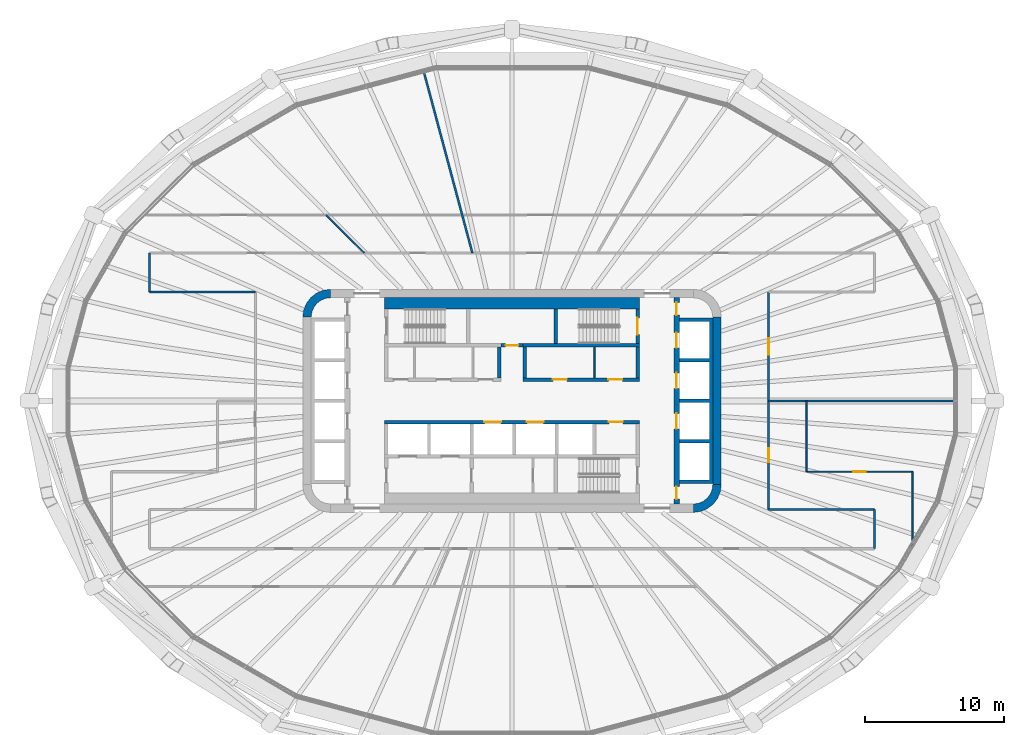
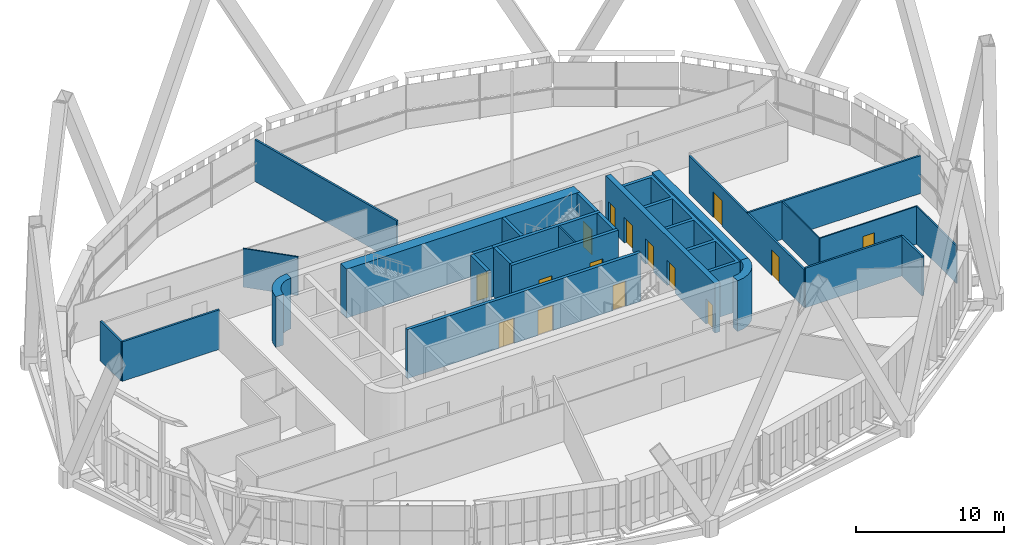
# One storey, part 16 of 25: 27 walls, 15 doors, 15 openings.
"""IFC4 building model written with IfcOpenShell, lengths in metres."""

from ifc_helpers import new_model, si_unit, direction, frame, frame_2d, origin, place, context, subcontext, project, spatial, polyline, rectangle, outline, extrude, material, layer, layer_set, type_object, element, fill, save


model = new_model("IFC4")

# Units and contexts
model_context = context("Model", 3, precision=1e-05, world=origin(), true_north=direction((0.0, 1.0)))
body_context = subcontext(model_context, "Body", "Model", "MODEL_VIEW")
ifc_project = project(units=[si_unit("LENGTHUNIT", "METRE"), si_unit("AREAUNIT", "SQUARE_METRE"), si_unit("VOLUMEUNIT", "CUBIC_METRE"), si_unit("PLANEANGLEUNIT", "RADIAN"), si_unit("MASSUNIT", "GRAM", prefix="KILO")], contexts=[model_context])

# Site, building, storey
site_placement = place(None, origin())
site = spatial("IfcSite", under=ifc_project, at=site_placement, CompositionType="ELEMENT")
building_placement = place(site_placement, origin())
building = spatial("IfcBuilding", under=site, at=building_placement, Name="Sahrelin Media Tower", CompositionType="ELEMENT")
storey_placement = place(building_placement, frame((0.0, 0.0, 114.60009765625)))
storey = spatial("IfcBuildingStorey", under=building, at=storey_placement, Name="L22", CompositionType="ELEMENT", Elevation=114.60009765625)

# Walls
ifc_material_1 = material(Name="Concrete C60/75", Category="concrete")
ifc_layer_1 = layer(ifc_material_1, 0.60009765625)
ifc_layer_set_1 = layer_set([ifc_layer_1], Name="Core wall 600")
wall_type_1 = type_object("IfcWallType", Name="Core wall 600", PredefinedType="SHEAR", material=ifc_layer_set_1)
wall_1_placement = place(storey_placement, frame((14.699951171875, -6.0, 0.0), z_axis=(0.0, 0.0, 1.0), x_axis=(0.0, 1.0, 0.0)))
element("IfcWall", 1, at=wall_1_placement, inside=storey, type_object=wall_type_1, Name="Core wall E L22", PredefinedType="SHEAR", context=body_context, shape_type="SweptSolid", body=[
    extrude(rectangle(XDim=12.0, YDim=0.60009765625, at=frame_2d((6.0, 0.0))), origin(), (0.0, 0.0, 1.0), 4.199951171875),
])
placement = place(storey_placement, origin())
element("IfcWall", 2, at=placement, inside=storey, type_object=wall_type_1, Name="Core wall corner NW L22", PredefinedType="SHEAR", context=body_context, shape_type="SweptSolid", body=[
    extrude(outline(polyline([(-15.0, 6.0), (-14.394775390625, 6.0), (-14.347412109375, 6.361083984375), (-14.2080078125, 6.697509765625), (-13.986328125, 6.986328125), (-13.697509765625, 7.2080078125), (-13.361083984375, 7.347412109375), (-13.0, 7.394775390625), (-13.0, 8.0), (-13.517578125, 7.931884765625), (-14.0, 7.732177734375), (-14.414306640625, 7.414306640625), (-14.732177734375, 7.0), (-14.931884765625, 6.517578125), (-15.0, 6.0)])), origin(), (0.0, 0.0, 1.0), 4.199951171875),
])
element("IfcWall", 3, at=placement, inside=storey, type_object=wall_type_1, Name="Core wall corner SE L22", PredefinedType="SHEAR", context=body_context, shape_type="SweptSolid", body=[
    extrude(outline(polyline([(15.0, -6.0), (14.394775390625, -6.0), (14.347412109375, -6.361083984375), (14.2080078125, -6.697509765625), (13.986328125, -6.986328125), (13.697509765625, -7.2080078125), (13.361083984375, -7.347412109375), (13.0, -7.394775390625), (13.0, -8.0), (13.517578125, -7.931884765625), (14.0, -7.732177734375), (14.414306640625, -7.414306640625), (14.732177734375, -7.0), (14.931884765625, -6.517578125), (15.0, -6.0)])), origin(), (0.0, 0.0, 1.0), 4.199951171875),
])

# Wall, opening, door
ifc_material_2 = material(Name="Fire-rated gypsum board partition")
ifc_layer_2 = layer(ifc_material_2, 0.25)
ifc_layer_set_2 = layer_set([ifc_layer_2], Name="Fire-rated lobby wall 250")
wall_type_2 = type_object("IfcWallType", Name="Fire-rated lobby wall 250", PredefinedType="PARTITIONING", material=ifc_layer_set_2)
wall_4_placement = place(storey_placement, frame((-0.77490234375, 3.97509765625, 0.0), z_axis=(0.0, 0.0, 1.0), x_axis=(1.0, 0.0, 0.0)))
wall_4 = element("IfcWall", 4, at=wall_4_placement, inside=storey, type_object=wall_type_2, Name="Core lobby wall", PredefinedType="PARTITIONING", context=body_context, shape_type="SweptSolid", body=[
    extrude(rectangle(XDim=1.5498046875, YDim=0.25, at=frame_2d((0.77490234375, 0.0))), origin(), (0.0, 0.0, 1.0), 4.0498046875),
])
opening_1_placement = place(wall_4_placement, frame((0.324951171875, 0.0, 0.0)))
opening_1 = element("IfcOpeningElement", 5, at=opening_1_placement, cuts=wall_4, Name="Opening L22-D06", PredefinedType="OPENING", context=body_context, shape_type="SweptSolid", body=[
    extrude(rectangle(XDim=0.89990234375, YDim=2.10009765625, at=frame_2d((0.449951171875, 1.050048828125))), frame((0.0, 0.125, 0.0), z_axis=(0.0, -1.0, 0.0), x_axis=(1.0, 0.0, 0.0)), (0.0, 0.0, 1.0), 0.25),
])
ifc_material_3 = material(Name="Steel fire door leaf", Category="steel")
door_type_1 = type_object("IfcDoorType", Name="Riser door 900 x 2100 EI 120", OperationType="NOTDEFINED", PredefinedType="DOOR", material=ifc_material_3)
door_1_placement = place(opening_1_placement, origin())
door_1 = element("IfcDoor", 6, at=door_1_placement, inside=storey, type_object=door_type_1, Name="Core room door", OperationType="SINGLE_SWING_LEFT", OverallHeight=2.10009765625, OverallWidth=0.89990234375, PredefinedType="DOOR", context=body_context, shape_type="SweptSolid", body=[
    extrude(rectangle(XDim=0.89990234375, YDim=2.10009765625, at=frame_2d((0.449951171875, 1.050048828125))), frame((0.0, 0.02490234375, 0.0), z_axis=(0.0, -1.0, 0.0), x_axis=(1.0, 0.0, 0.0)), (0.0, 0.0, 1.0), 0.050048828125),
])
fill(opening_1, door_1)

# Wall, openings, doors
wall_5_placement = place(storey_placement, frame((0.77490234375, 1.52490234375, 0.0), z_axis=(0.0, 0.0, 1.0), x_axis=(1.0, 0.0, 0.0)))
wall_5 = element("IfcWall", 7, at=wall_5_placement, inside=storey, type_object=wall_type_2, Name="Core lobby wall", PredefinedType="PARTITIONING", context=body_context, shape_type="SweptSolid", body=[
    extrude(rectangle(XDim=8.35009765625, YDim=0.25, at=frame_2d((4.175048828125, 0.0))), origin(), (0.0, 0.0, 1.0), 4.0498046875),
])
opening_2_placement = place(wall_5_placement, frame((2.16259765625, 0.0, 0.0)))
opening_2 = element("IfcOpeningElement", 8, at=opening_2_placement, cuts=wall_5, Name="Opening L22-D11", PredefinedType="OPENING", context=body_context, shape_type="SweptSolid", body=[
    extrude(rectangle(XDim=1.0, YDim=2.10009765625, at=frame_2d((0.5, 1.050048828125))), frame((0.0, 0.125, 0.0), z_axis=(0.0, -1.0, 0.0), x_axis=(1.0, 0.0, 0.0)), (0.0, 0.0, 1.0), 0.25),
])
opening_3_placement = place(wall_5_placement, frame((6.137451171875, 0.0, 0.0)))
opening_3 = element("IfcOpeningElement", 9, at=opening_3_placement, cuts=wall_5, Name="Opening L22-D12", PredefinedType="OPENING", context=body_context, shape_type="SweptSolid", body=[
    extrude(rectangle(XDim=1.0, YDim=2.10009765625, at=frame_2d((0.5, 1.050048828125))), frame((0.0, 0.125, 0.0), z_axis=(0.0, -1.0, 0.0), x_axis=(1.0, 0.0, 0.0)), (0.0, 0.0, 1.0), 0.25),
])
door_type_2 = type_object("IfcDoorType", Name="Fire door 1000 x 2100 EI 60", OperationType="NOTDEFINED", PredefinedType="DOOR", material=ifc_material_3)
door_2_placement = place(opening_2_placement, origin())
door_2 = element("IfcDoor", 10, at=door_2_placement, inside=storey, type_object=door_type_2, Name="Core room door", OperationType="SINGLE_SWING_LEFT", OverallHeight=2.10009765625, OverallWidth=1.0, PredefinedType="DOOR", context=body_context, shape_type="SweptSolid", body=[
    extrude(rectangle(XDim=1.0, YDim=2.10009765625, at=frame_2d((0.5, 1.050048828125))), frame((0.0, 0.02490234375, 0.0), z_axis=(0.0, -1.0, 0.0), x_axis=(1.0, 0.0, 0.0)), (0.0, 0.0, 1.0), 0.050048828125),
])
fill(opening_2, door_2)
door_3_placement = place(opening_3_placement, origin())
door_3 = element("IfcDoor", 11, at=door_3_placement, inside=storey, type_object=door_type_2, Name="Core room door", OperationType="SINGLE_SWING_LEFT", OverallHeight=2.10009765625, OverallWidth=1.0, PredefinedType="DOOR", context=body_context, shape_type="SweptSolid", body=[
    extrude(rectangle(XDim=1.0, YDim=2.10009765625, at=frame_2d((0.5, 1.050048828125))), frame((0.0, 0.02490234375, 0.0), z_axis=(0.0, -1.0, 0.0), x_axis=(1.0, 0.0, 0.0)), (0.0, 0.0, 1.0), 0.050048828125),
])
fill(opening_3, door_3)

# Walls
for number, where, z_axis, x_axis, name in (
    (12, (-0.89990234375, 1.64990234375, 0.0), (0.0, 0.0, 1.0), (0.0, 1.0, 0.0), "Core lobby wall"),
    (13, (9.0, 1.64990234375, 0.0), (0.0, 0.0, 1.0), (0.0, 1.0, 0.0), "Core lobby wall"),
    (14, (0.89990234375, 1.64990234375, 0.0), (0.0, 0.0, 1.0), (0.0, 1.0, 0.0), "Core lobby wall"),
):
    element("IfcWall", number, at=place(storey_placement, frame(where, z_axis=z_axis, x_axis=x_axis)), inside=storey, type_object=wall_type_2, Name=name, PredefinedType="PARTITIONING", context=body_context, shape_type="SweptSolid", body=[
        extrude(rectangle(XDim=2.2001953125, YDim=0.25, at=frame_2d((1.10009765625, 0.0))), origin(), (0.0, 0.0, 1.0), 4.0498046875),
    ])
ifc_layer_3 = layer(ifc_material_2, 0.10009765625)
ifc_layer_set_3 = layer_set([ifc_layer_3], Name="Fire-rated partition 100")
wall_type_3 = type_object("IfcWallType", Name="Fire-rated partition 100", PredefinedType="PARTITIONING", material=ifc_layer_set_3)
wall_6_placement = place(storey_placement, frame((5.89990234375, 1.64990234375, 0.0), z_axis=(0.0, 0.0, 1.0), x_axis=(0.0, 1.0, 0.0)))
element("IfcWall", 15, at=wall_6_placement, inside=storey, type_object=wall_type_3, Name="Core room partition", PredefinedType="PARTITIONING", context=body_context, shape_type="SweptSolid", body=[
    extrude(rectangle(XDim=2.2001953125, YDim=0.10009765625, at=frame_2d((1.10009765625, 0.0))), origin(), (0.0, 0.0, 1.0), 4.0498046875),
])
ifc_layer_4 = layer(ifc_material_2, 0.14990234375)
ifc_layer_set_4 = layer_set([ifc_layer_4], Name="Fire-rated partition 150")
wall_type_4 = type_object("IfcWallType", Name="Fire-rated partition 150", PredefinedType="PARTITIONING", material=ifc_layer_set_4)
wall_7_placement = place(storey_placement, frame((-6.35888671875, 23.73193359375, 0.0), z_axis=(0.0, 0.0, 1.0), x_axis=(0.258844995685, -0.965918872478, 0.0)))
element("IfcWall", 16, at=wall_7_placement, inside=storey, type_object=wall_type_4, Name="Wall", PredefinedType="PARTITIONING", context=body_context, shape_type="SweptSolid", body=[
    extrude(rectangle(XDim=13.59521484375, YDim=0.14990234375, at=frame_2d((6.797607421875, 0.0))), origin(), (0.0, 0.0, 1.0), 3.45166015625),
])
wall_8_placement = place(storey_placement, frame((18.39990234375, -7.800048828125, 0.0), z_axis=(0.0, 0.0, 1.0), x_axis=(1.0, 0.0, 0.0)))
element("IfcWall", 17, at=wall_8_placement, inside=storey, type_object=wall_type_4, Name="Wall", PredefinedType="PARTITIONING", context=body_context, shape_type="SweptSolid", body=[
    extrude(rectangle(XDim=7.60009765625, YDim=0.14990234375, at=frame_2d((3.800048828125, 0.0))), origin(), (0.0, 0.0, 1.0), 3.27587890625),
])
wall_9_placement = place(storey_placement, frame((18.39990234375, 0.0, 0.0), z_axis=(0.0, 0.0, 1.0), x_axis=(1.0, 0.0, 0.0)))
element("IfcWall", 18, at=wall_9_placement, inside=storey, type_object=wall_type_4, Name="Wall", PredefinedType="PARTITIONING", context=body_context, shape_type="SweptSolid", body=[
    extrude(rectangle(XDim=13.51611328125, YDim=0.14990234375, at=frame_2d((6.758056640625, 0.0))), origin(), (0.0, 0.0, 1.0), 3.126953125),
])
wall_10_placement = place(storey_placement, frame((-26.0, 7.800048828125, 0.0), z_axis=(0.0, 0.0, 1.0), x_axis=(1.0, 0.0, 0.0)))
element("IfcWall", 19, at=wall_10_placement, inside=storey, type_object=wall_type_4, Name="Wall", PredefinedType="PARTITIONING", context=body_context, shape_type="SweptSolid", body=[
    extrude(rectangle(XDim=7.60009765625, YDim=0.14990234375, at=frame_2d((3.800048828125, 0.0))), origin(), (0.0, 0.0, 1.0), 3.27587890625),
])
wall_11_placement = place(storey_placement, frame((26.0, -10.60009765625, 0.0), z_axis=(0.0, 0.0, 1.0), x_axis=(0.0, 1.0, 0.0)))
element("IfcWall", 20, at=wall_11_placement, inside=storey, type_object=wall_type_4, Name="Wall", PredefinedType="PARTITIONING", context=body_context, shape_type="SweptSolid", body=[
    extrude(rectangle(XDim=2.800048828125, YDim=0.14990234375, at=frame_2d((1.39990234375, 0.0))), origin(), (0.0, 0.0, 1.0), 3.27587890625),
])

# Wall, openings, doors
wall_12_placement = place(storey_placement, frame((18.39990234375, -7.800048828125, 0.0), z_axis=(0.0, 0.0, 1.0), x_axis=(0.0, 1.0, 0.0)))
wall_12 = element("IfcWall", 21, at=wall_12_placement, inside=storey, type_object=wall_type_4, Name="Wall", PredefinedType="PARTITIONING", context=body_context, shape_type="SweptSolid", body=[
    extrude(rectangle(XDim=15.60009765625, YDim=0.14990234375, at=frame_2d((7.800048828125, 0.0))), origin(), (0.0, 0.0, 1.0), 3.1181640625),
])
opening_4_placement = place(wall_12_placement, frame((3.39990234375, 0.0, 0.0)))
opening_4 = element("IfcOpeningElement", 22, at=opening_4_placement, cuts=wall_12, Name="Opening L22-D33", PredefinedType="OPENING", context=body_context, shape_type="SweptSolid", body=[
    extrude(rectangle(XDim=1.0, YDim=2.10009765625, at=frame_2d((0.5, 1.050048828125))), frame((0.0, 0.074951171875, 0.0), z_axis=(0.0, -1.0, 0.0), x_axis=(1.0, 0.0, 0.0)), (0.0, 0.0, 1.0), 0.14990234375),
])
opening_5_placement = place(wall_12_placement, frame((11.10009765625, 0.0, 0.0)))
opening_5 = element("IfcOpeningElement", 23, at=opening_5_placement, cuts=wall_12, Name="Opening L22-D35", PredefinedType="OPENING", context=body_context, shape_type="SweptSolid", body=[
    extrude(rectangle(XDim=1.199951171875, YDim=2.10009765625, at=frame_2d((0.60009765625, 1.050048828125))), frame((0.0, 0.074951171875, 0.0), z_axis=(0.0, -1.0, 0.0), x_axis=(1.0, 0.0, 0.0)), (0.0, 0.0, 1.0), 0.14990234375),
])
door_4_placement = place(opening_4_placement, origin())
door_4 = element("IfcDoor", 24, at=door_4_placement, inside=storey, type_object=door_type_2, Name="Fire door", OperationType="SINGLE_SWING_LEFT", OverallHeight=2.10009765625, OverallWidth=1.0, PredefinedType="DOOR", context=body_context, shape_type="SweptSolid", body=[
    extrude(rectangle(XDim=1.0, YDim=2.10009765625, at=frame_2d((0.5, 1.050048828125))), frame((0.0, 0.02490234375, 0.0), z_axis=(0.0, -1.0, 0.0), x_axis=(1.0, 0.0, 0.0)), (0.0, 0.0, 1.0), 0.050048828125),
])
fill(opening_4, door_4)
door_type_3 = type_object("IfcDoorType", Name="Service double door 1200 x 2100 EI 60", OperationType="DOUBLE_DOOR_SINGLE_SWING", PredefinedType="DOOR", material=ifc_material_3)
door_5_placement = place(opening_5_placement, origin())
door_5 = element("IfcDoor", 25, at=door_5_placement, inside=storey, type_object=door_type_3, Name="Service double door", OperationType="DOUBLE_DOOR_SINGLE_SWING", OverallHeight=2.10009765625, OverallWidth=1.199951171875, PredefinedType="DOOR", context=body_context, shape_type="SweptSolid", body=[
    extrude(rectangle(XDim=1.199951171875, YDim=2.10009765625, at=frame_2d((0.60009765625, 1.050048828125))), frame((0.0, 0.02490234375, 0.0), z_axis=(0.0, -1.0, 0.0), x_axis=(1.0, 0.0, 0.0)), (0.0, 0.0, 1.0), 0.050048828125),
])
fill(opening_5, door_5)

# Wall
wall_13_placement = place(storey_placement, frame((-26.0, 7.800048828125, 0.0), z_axis=(0.0, 0.0, 1.0), x_axis=(0.0, 1.0, 0.0)))
element("IfcWall", 26, at=wall_13_placement, inside=storey, type_object=wall_type_4, Name="Wall", PredefinedType="PARTITIONING", context=body_context, shape_type="SweptSolid", body=[
    extrude(rectangle(XDim=2.800048828125, YDim=0.14990234375, at=frame_2d((1.39990234375, 0.0))), origin(), (0.0, 0.0, 1.0), 3.27587890625),
])

# Wall, openings, doors
ifc_layer_5 = layer(ifc_material_1, 0.25)
ifc_layer_set_5 = layer_set([ifc_layer_5], Name="Lift shaft wall 250")
wall_type_5 = type_object("IfcWallType", Name="Lift shaft wall 250", PredefinedType="SOLIDWALL", material=ifc_layer_set_5)
wall_14_placement = place(storey_placement, frame((-9.125, -1.52490234375, 0.0), z_axis=(0.0, 0.0, 1.0), x_axis=(1.0, 0.0, 0.0)))
wall_14 = element("IfcWall", 27, at=wall_14_placement, inside=storey, type_object=wall_type_5, Name="Lift shaft wall", PredefinedType="SOLIDWALL", context=body_context, shape_type="SweptSolid", body=[
    extrude(rectangle(XDim=18.25, YDim=0.25, at=frame_2d((9.125, 0.0))), origin(), (0.0, 0.0, 1.0), 4.0498046875),
])
opening_6_placement = place(wall_14_placement, frame((7.14990234375, 0.0, 0.0)))
opening_6 = element("IfcOpeningElement", 28, at=opening_6_placement, cuts=wall_14, Name="Opening L22-LD-SV1", PredefinedType="OPENING", context=body_context, shape_type="SweptSolid", body=[
    extrude(rectangle(XDim=1.199951171875, YDim=2.10009765625, at=frame_2d((0.60009765625, 1.050048828125))), frame((0.0, 0.125, 0.0), z_axis=(0.0, -1.0, 0.0), x_axis=(1.0, 0.0, 0.0)), (0.0, 0.0, 1.0), 0.25),
])
opening_7_placement = place(wall_14_placement, frame((10.199951171875, 0.0, 0.0)))
opening_7 = element("IfcOpeningElement", 29, at=opening_7_placement, cuts=wall_14, Name="Opening L22-LD-SV2", PredefinedType="OPENING", context=body_context, shape_type="SweptSolid", body=[
    extrude(rectangle(XDim=1.199951171875, YDim=2.10009765625, at=frame_2d((0.60009765625, 1.050048828125))), frame((0.0, 0.125, 0.0), z_axis=(0.0, -1.0, 0.0), x_axis=(1.0, 0.0, 0.0)), (0.0, 0.0, 1.0), 0.25),
])
opening_8_placement = place(wall_14_placement, frame((16.074951171875, 0.0, 0.0)))
opening_8 = element("IfcOpeningElement", 30, at=opening_8_placement, cuts=wall_14, Name="Opening L22-D13", PredefinedType="OPENING", context=body_context, shape_type="SweptSolid", body=[
    extrude(rectangle(XDim=1.0, YDim=2.10009765625, at=frame_2d((0.5, 1.050048828125))), frame((0.0, 0.125, 0.0), z_axis=(0.0, -1.0, 0.0), x_axis=(1.0, 0.0, 0.0)), (0.0, 0.0, 1.0), 0.25),
])
door_6_placement = place(opening_8_placement, origin())
door_6 = element("IfcDoor", 31, at=door_6_placement, inside=storey, type_object=door_type_2, Name="Core room door", OperationType="SINGLE_SWING_RIGHT", OverallHeight=2.10009765625, OverallWidth=1.0, PredefinedType="DOOR", context=body_context, shape_type="SweptSolid", body=[
    extrude(rectangle(XDim=1.0, YDim=2.10009765625, at=frame_2d((0.5, 1.050048828125))), frame((0.0, 0.02490234375, 0.0), z_axis=(0.0, -1.0, 0.0), x_axis=(1.0, 0.0, 0.0)), (0.0, 0.0, 1.0), 0.050048828125),
])
fill(opening_8, door_6)
ifc_material_4 = material(Name="Stainless steel", Category="steel")
door_type_4 = type_object("IfcDoorType", Name="Lift landing door 1200 x 2100 EI 120", OperationType="DOUBLE_DOOR_SLIDING", PredefinedType="DOOR", material=ifc_material_4)
door_7_placement = place(opening_6_placement, origin())
door_7 = element("IfcDoor", 32, at=door_7_placement, inside=storey, type_object=door_type_4, Name="Lift landing door SV1", OperationType="DOUBLE_DOOR_SLIDING", OverallHeight=2.10009765625, OverallWidth=1.199951171875, PredefinedType="DOOR", context=body_context, shape_type="SweptSolid", body=[
    extrude(rectangle(XDim=1.199951171875, YDim=2.10009765625, at=frame_2d((0.60009765625, 1.050048828125))), frame((0.0, 0.02490234375, 0.0), z_axis=(0.0, -1.0, 0.0), x_axis=(1.0, 0.0, 0.0)), (0.0, 0.0, 1.0), 0.050048828125),
])
fill(opening_6, door_7)
door_8_placement = place(opening_7_placement, origin())
door_8 = element("IfcDoor", 33, at=door_8_placement, inside=storey, type_object=door_type_4, Name="Lift landing door SV2", OperationType="DOUBLE_DOOR_SLIDING", OverallHeight=2.10009765625, OverallWidth=1.199951171875, PredefinedType="DOOR", context=body_context, shape_type="SweptSolid", body=[
    extrude(rectangle(XDim=1.199951171875, YDim=2.10009765625, at=frame_2d((0.60009765625, 1.050048828125))), frame((0.0, 0.02490234375, 0.0), z_axis=(0.0, -1.0, 0.0), x_axis=(1.0, 0.0, 0.0)), (0.0, 0.0, 1.0), 0.050048828125),
])
fill(opening_7, door_8)

# Wall
element("IfcWall", 34, at=placement, inside=storey, type_object=wall_type_5, Name="Lift shaft wall", PredefinedType="SOLIDWALL", context=body_context, shape_type="SweptSolid", body=[
    extrude(outline(polyline([(12.0, -5.675048828125), (12.0, -5.925048828125), (14.14990234375, -5.925048828125), (14.39990234375, -5.925048828125), (14.39990234375, -5.675048828125), (14.39990234375, -3.02490234375), (14.39990234375, -2.77490234375), (14.39990234375, -0.125), (14.39990234375, 0.125), (14.39990234375, 2.77490234375), (14.39990234375, 3.02490234375), (14.39990234375, 5.675048828125), (14.39990234375, 5.925048828125), (14.14990234375, 5.925048828125), (12.0, 5.925048828125), (12.0, 5.675048828125), (14.14990234375, 5.675048828125), (14.14990234375, 3.02490234375), (12.0, 3.02490234375), (12.0, 2.77490234375), (14.14990234375, 2.77490234375), (14.14990234375, 0.125), (12.0, 0.125), (12.0, -0.125), (14.14990234375, -0.125), (14.14990234375, -2.77490234375), (12.0, -2.77490234375), (12.0, -3.02490234375), (14.14990234375, -3.02490234375), (14.14990234375, -5.675048828125), (12.0, -5.675048828125)])), origin(), (0.0, 0.0, 1.0), 4.0498046875),
])

# Wall, openings, doors
ifc_layer_6 = layer(ifc_material_1, 0.39990234375)
ifc_layer_set_6 = layer_set([ifc_layer_6], Name="Lift shaft wall 400")
wall_type_6 = type_object("IfcWallType", Name="Lift shaft wall 400", PredefinedType="SOLIDWALL", material=ifc_layer_set_6)
wall_16_placement = place(storey_placement, frame((11.800048828125, -7.39990234375, 0.0), z_axis=(0.0, 0.0, 1.0), x_axis=(0.0, 1.0, 0.0)))
wall_16 = element("IfcWall", 35, at=wall_16_placement, inside=storey, type_object=wall_type_6, Name="Lift shaft wall", PredefinedType="SOLIDWALL", context=body_context, shape_type="SweptSolid", body=[
    extrude(rectangle(XDim=14.7998046875, YDim=0.39990234375, at=frame_2d((7.39990234375, 0.0))), origin(), (0.0, 0.0, 1.0), 4.0498046875),
])
opening_9_placement = place(wall_16_placement, frame((11.199951171875, 0.0, 0.0)))
opening_9 = element("IfcOpeningElement", 36, at=opening_9_placement, cuts=wall_16, Name="Opening L22-LD-LR4", PredefinedType="OPENING", context=body_context, shape_type="SweptSolid", body=[
    extrude(rectangle(XDim=1.10009765625, YDim=2.10009765625, at=frame_2d((0.550048828125, 1.050048828125))), frame((0.0, 0.199951171875, 0.0), z_axis=(0.0, -1.0, 0.0), x_axis=(1.0, 0.0, 0.0)), (0.0, 0.0, 1.0), 0.39990234375),
])
opening_10_placement = place(wall_16_placement, frame((8.300048828125, 0.0, 0.0)))
opening_10 = element("IfcOpeningElement", 37, at=opening_10_placement, cuts=wall_16, Name="Opening L22-LD-LR5", PredefinedType="OPENING", context=body_context, shape_type="SweptSolid", body=[
    extrude(rectangle(XDim=1.10009765625, YDim=2.10009765625, at=frame_2d((0.550048828125, 1.050048828125))), frame((0.0, 0.199951171875, 0.0), z_axis=(0.0, -1.0, 0.0), x_axis=(1.0, 0.0, 0.0)), (0.0, 0.0, 1.0), 0.39990234375),
])
opening_11_placement = place(wall_16_placement, frame((5.39990234375, 0.0, 0.0)))
opening_11 = element("IfcOpeningElement", 38, at=opening_11_placement, cuts=wall_16, Name="Opening L22-LD-LR6", PredefinedType="OPENING", context=body_context, shape_type="SweptSolid", body=[
    extrude(rectangle(XDim=1.10009765625, YDim=2.10009765625, at=frame_2d((0.550048828125, 1.050048828125))), frame((0.0, 0.199951171875, 0.0), z_axis=(0.0, -1.0, 0.0), x_axis=(1.0, 0.0, 0.0)), (0.0, 0.0, 1.0), 0.39990234375),
])
opening_12_placement = place(wall_16_placement, frame((13.552490234375, 0.0, 0.0)))
opening_12 = element("IfcOpeningElement", 39, at=opening_12_placement, cuts=wall_16, Name="Opening L22-D16", PredefinedType="OPENING", context=body_context, shape_type="SweptSolid", body=[
    extrude(rectangle(XDim=0.89990234375, YDim=2.10009765625, at=frame_2d((0.449951171875, 1.050048828125))), frame((0.0, 0.199951171875, 0.0), z_axis=(0.0, -1.0, 0.0), x_axis=(1.0, 0.0, 0.0)), (0.0, 0.0, 1.0), 0.39990234375),
])
opening_13_placement = place(wall_16_placement, frame((0.347412109375, 0.0, 0.0)))
opening_13 = element("IfcOpeningElement", 40, at=opening_13_placement, cuts=wall_16, Name="Opening L22-D17", PredefinedType="OPENING", context=body_context, shape_type="SweptSolid", body=[
    extrude(rectangle(XDim=0.89990234375, YDim=2.10009765625, at=frame_2d((0.449951171875, 1.050048828125))), frame((0.0, 0.199951171875, 0.0), z_axis=(0.0, -1.0, 0.0), x_axis=(1.0, 0.0, 0.0)), (0.0, 0.0, 1.0), 0.39990234375),
])
door_type_5 = type_object("IfcDoorType", Name="Lift landing door 1100 x 2100 EI 120", OperationType="DOUBLE_DOOR_SLIDING", PredefinedType="DOOR", material=ifc_material_4)
door_9_placement = place(opening_9_placement, origin())
door_9 = element("IfcDoor", 41, at=door_9_placement, inside=storey, type_object=door_type_5, Name="Lift landing door LR4", OperationType="DOUBLE_DOOR_SLIDING", OverallHeight=2.10009765625, OverallWidth=1.10009765625, PredefinedType="DOOR", context=body_context, shape_type="SweptSolid", body=[
    extrude(rectangle(XDim=1.10009765625, YDim=2.10009765625, at=frame_2d((0.550048828125, 1.050048828125))), frame((0.0, 0.02490234375, 0.0), z_axis=(0.0, -1.0, 0.0), x_axis=(1.0, 0.0, 0.0)), (0.0, 0.0, 1.0), 0.050048828125),
])
fill(opening_9, door_9)
door_10_placement = place(opening_10_placement, origin())
door_10 = element("IfcDoor", 42, at=door_10_placement, inside=storey, type_object=door_type_5, Name="Lift landing door LR5", OperationType="DOUBLE_DOOR_SLIDING", OverallHeight=2.10009765625, OverallWidth=1.10009765625, PredefinedType="DOOR", context=body_context, shape_type="SweptSolid", body=[
    extrude(rectangle(XDim=1.10009765625, YDim=2.10009765625, at=frame_2d((0.550048828125, 1.050048828125))), frame((0.0, 0.02490234375, 0.0), z_axis=(0.0, -1.0, 0.0), x_axis=(1.0, 0.0, 0.0)), (0.0, 0.0, 1.0), 0.050048828125),
])
fill(opening_10, door_10)
door_11_placement = place(opening_11_placement, origin())
door_11 = element("IfcDoor", 43, at=door_11_placement, inside=storey, type_object=door_type_5, Name="Lift landing door LR6", OperationType="DOUBLE_DOOR_SLIDING", OverallHeight=2.10009765625, OverallWidth=1.10009765625, PredefinedType="DOOR", context=body_context, shape_type="SweptSolid", body=[
    extrude(rectangle(XDim=1.10009765625, YDim=2.10009765625, at=frame_2d((0.550048828125, 1.050048828125))), frame((0.0, 0.02490234375, 0.0), z_axis=(0.0, -1.0, 0.0), x_axis=(1.0, 0.0, 0.0)), (0.0, 0.0, 1.0), 0.050048828125),
])
fill(opening_11, door_11)
door_12_placement = place(opening_12_placement, origin())
door_12 = element("IfcDoor", 44, at=door_12_placement, inside=storey, type_object=door_type_1, Name="Riser door", OperationType="SINGLE_SWING_RIGHT", OverallHeight=2.10009765625, OverallWidth=0.89990234375, PredefinedType="DOOR", context=body_context, shape_type="SweptSolid", body=[
    extrude(rectangle(XDim=0.89990234375, YDim=2.10009765625, at=frame_2d((0.449951171875, 1.050048828125))), frame((0.0, 0.02490234375, 0.0), z_axis=(0.0, -1.0, 0.0), x_axis=(1.0, 0.0, 0.0)), (0.0, 0.0, 1.0), 0.050048828125),
])
fill(opening_12, door_12)
door_13_placement = place(opening_13_placement, origin())
door_13 = element("IfcDoor", 45, at=door_13_placement, inside=storey, type_object=door_type_1, Name="Riser door", OperationType="SINGLE_SWING_RIGHT", OverallHeight=2.10009765625, OverallWidth=0.89990234375, PredefinedType="DOOR", context=body_context, shape_type="SweptSolid", body=[
    extrude(rectangle(XDim=0.89990234375, YDim=2.10009765625, at=frame_2d((0.449951171875, 1.050048828125))), frame((0.0, 0.02490234375, 0.0), z_axis=(0.0, -1.0, 0.0), x_axis=(1.0, 0.0, 0.0)), (0.0, 0.0, 1.0), 0.050048828125),
])
fill(opening_13, door_13)

# Wall
ifc_material_5 = material(Name="Gypsum board partition")
ifc_layer_7 = layer(ifc_material_5, 0.10009765625)
ifc_layer_set_7 = layer_set([ifc_layer_7], Name="Partition 100")
wall_type_7 = type_object("IfcWallType", Name="Partition 100", PredefinedType="PARTITIONING", material=ifc_layer_set_7)
wall_17_placement = place(storey_placement, frame((-13.320068359375, 13.320068359375, 0.0), z_axis=(0.0, 0.0, 1.0), x_axis=(0.707106781187, -0.707106781187, 0.0)))
element("IfcWall", 46, at=wall_17_placement, inside=storey, type_object=wall_type_7, Name="Wall", PredefinedType="PARTITIONING", context=body_context, shape_type="SweptSolid", body=[
    extrude(rectangle(XDim=3.8466796875, YDim=0.10009765625, at=frame_2d((1.92333984375, 0.0))), origin(), (0.0, 0.0, 1.0), 3.195068359375),
])

# Wall, opening, door
wall_18_placement = place(storey_placement, frame((21.1201171875, -5.080078125, 0.0), z_axis=(0.0, 0.0, 1.0), x_axis=(1.0, 0.0, 0.0)))
wall_18 = element("IfcWall", 47, at=wall_18_placement, inside=storey, type_object=wall_type_7, Name="Wall", PredefinedType="PARTITIONING", context=body_context, shape_type="SweptSolid", body=[
    extrude(rectangle(XDim=7.599853515625, YDim=0.10009765625, at=frame_2d((3.7998046875, 0.0))), origin(), (0.0, 0.0, 1.0), 3.126953125),
])
opening_14_placement = place(wall_18_placement, frame((3.35009765625, 0.0, 0.0)))
opening_14 = element("IfcOpeningElement", 48, at=opening_14_placement, cuts=wall_18, Name="Opening L22-D34", PredefinedType="OPENING", context=body_context, shape_type="SweptSolid", body=[
    extrude(rectangle(XDim=0.89990234375, YDim=2.10009765625, at=frame_2d((0.449951171875, 1.050048828125))), frame((0.0, 0.050048828125, 0.0), z_axis=(0.0, -1.0, 0.0), x_axis=(1.0, 0.0, 0.0)), (0.0, 0.0, 1.0), 0.10009765625),
])
ifc_material_6 = material(Name="Timber door leaf", Category="wood")
door_type_6 = type_object("IfcDoorType", Name="Single door 900 x 2100", OperationType="NOTDEFINED", PredefinedType="DOOR", material=ifc_material_6)
door_14_placement = place(opening_14_placement, origin())
door_14 = element("IfcDoor", 49, at=door_14_placement, inside=storey, type_object=door_type_6, Name="Single door", OperationType="SINGLE_SWING_LEFT", OverallHeight=2.10009765625, OverallWidth=0.89990234375, PredefinedType="DOOR", context=body_context, shape_type="SweptSolid", body=[
    extrude(rectangle(XDim=0.89990234375, YDim=2.10009765625, at=frame_2d((0.449951171875, 1.050048828125))), frame((0.0, 0.02490234375, 0.0), z_axis=(0.0, -1.0, 0.0), x_axis=(1.0, 0.0, 0.0)), (0.0, 0.0, 1.0), 0.050048828125),
])
fill(opening_14, door_14)

# Walls
wall_19_placement = place(storey_placement, frame((28.719970703125, -10.5029296875, 0.0), z_axis=(0.0, 0.0, 1.0), x_axis=(0.0, 1.0, 0.0)))
element("IfcWall", 50, at=wall_19_placement, inside=storey, type_object=wall_type_7, Name="Wall", PredefinedType="PARTITIONING", context=body_context, shape_type="SweptSolid", body=[
    extrude(rectangle(XDim=5.4228515625, YDim=0.10009765625, at=frame_2d((2.71142578125, 0.0))), origin(), (0.0, 0.0, 1.0), 3.126953125),
])
wall_20_placement = place(storey_placement, frame((21.1201171875, -5.080078125, 0.0), z_axis=(0.0, 0.0, 1.0), x_axis=(0.0, 1.0, 0.0)))
element("IfcWall", 51, at=wall_20_placement, inside=storey, type_object=wall_type_7, Name="Wall", PredefinedType="PARTITIONING", context=body_context, shape_type="SweptSolid", body=[
    extrude(rectangle(XDim=5.080078125, YDim=0.10009765625, at=frame_2d((2.5400390625, 0.0))), origin(), (0.0, 0.0, 1.0), 3.1181640625),
])

# Wall, opening, door
ifc_layer_8 = layer(ifc_material_1, 0.25)
ifc_layer_set_8 = layer_set([ifc_layer_8], Name="Stair enclosure wall 250")
wall_type_8 = type_object("IfcWallType", Name="Stair enclosure wall 250", PredefinedType="SOLIDWALL", material=ifc_layer_set_8)
wall_21_placement = place(storey_placement, frame((9.0, 4.10009765625, 0.0), z_axis=(0.0, 0.0, 1.0), x_axis=(0.0, 1.0, 0.0)))
wall_21 = element("IfcWall", 52, at=wall_21_placement, inside=storey, type_object=wall_type_8, Name="Stair enclosure wall", PredefinedType="SOLIDWALL", context=body_context, shape_type="SweptSolid", body=[
    extrude(rectangle(XDim=2.5, YDim=0.25, at=frame_2d((1.25, 0.0))), origin(), (0.0, 0.0, 1.0), 4.0498046875),
])
opening_15_placement = place(wall_21_placement, frame((0.64990234375, 0.0, 0.0)))
opening_15 = element("IfcOpeningElement", 53, at=opening_15_placement, cuts=wall_21, Name="Opening L22-D02", PredefinedType="OPENING", context=body_context, shape_type="SweptSolid", body=[
    extrude(rectangle(XDim=1.199951171875, YDim=2.10009765625, at=frame_2d((0.60009765625, 1.050048828125))), frame((0.0, 0.125, 0.0), z_axis=(0.0, -1.0, 0.0), x_axis=(1.0, 0.0, 0.0)), (0.0, 0.0, 1.0), 0.25),
])
door_type_7 = type_object("IfcDoorType", Name="Stair door 1200 x 2100 EI 120", OperationType="NOTDEFINED", PredefinedType="DOOR", material=ifc_material_3)
door_15_placement = place(opening_15_placement, origin())
door_15 = element("IfcDoor", 54, at=door_15_placement, inside=storey, type_object=door_type_7, Name="Stair door ST3", OperationType="SINGLE_SWING_LEFT", OverallHeight=2.10009765625, OverallWidth=1.199951171875, PredefinedType="DOOR", context=body_context, shape_type="SweptSolid", body=[
    extrude(rectangle(XDim=1.199951171875, YDim=2.10009765625, at=frame_2d((0.60009765625, 1.050048828125))), frame((0.0, 0.02490234375, 0.0), z_axis=(0.0, -1.0, 0.0), x_axis=(1.0, 0.0, 0.0)), (0.0, 0.0, 1.0), 0.050048828125),
])
fill(opening_15, door_15)

# Walls
wall_22_placement = place(storey_placement, frame((3.14990234375, 4.10009765625, 0.0), z_axis=(0.0, 0.0, 1.0), x_axis=(0.0, 1.0, 0.0)))
element("IfcWall", 55, at=wall_22_placement, inside=storey, type_object=wall_type_8, Name="Stair enclosure wall", PredefinedType="SOLIDWALL", context=body_context, shape_type="SweptSolid", body=[
    extrude(rectangle(XDim=2.5, YDim=0.25, at=frame_2d((1.25, 0.0))), origin(), (0.0, 0.0, 1.0), 4.0498046875),
])
wall_23_placement = place(storey_placement, frame((0.77490234375, 3.97509765625, 0.0), z_axis=(0.0, 0.0, 1.0), x_axis=(1.0, 0.0, 0.0)))
element("IfcWall", 56, at=wall_23_placement, inside=storey, type_object=wall_type_8, Name="Stair enclosure wall", PredefinedType="SOLIDWALL", context=body_context, shape_type="SweptSolid", body=[
    extrude(rectangle(XDim=8.35009765625, YDim=0.25, at=frame_2d((4.175048828125, 0.0))), origin(), (0.0, 0.0, 1.0), 4.0498046875),
])
ifc_layer_9 = layer(ifc_material_1, 0.800048828125)
ifc_layer_set_9 = layer_set([ifc_layer_9], Name="Stair enclosure wall 800")
wall_type_9 = type_object("IfcWallType", Name="Stair enclosure wall 800", PredefinedType="SOLIDWALL", material=ifc_layer_set_9)
wall_24_placement = place(storey_placement, frame((-9.125, 7.0, 0.0), z_axis=(0.0, 0.0, 1.0), x_axis=(1.0, 0.0, 0.0)))
element("IfcWall", 57, at=wall_24_placement, inside=storey, type_object=wall_type_9, Name="Stair enclosure wall", PredefinedType="SOLIDWALL", context=body_context, shape_type="SweptSolid", body=[
    extrude(rectangle(XDim=18.25, YDim=0.800048828125, at=frame_2d((9.125, 0.0))), origin(), (0.0, 0.0, 1.0), 4.0498046875),
])

save(model, "model.ifc")
